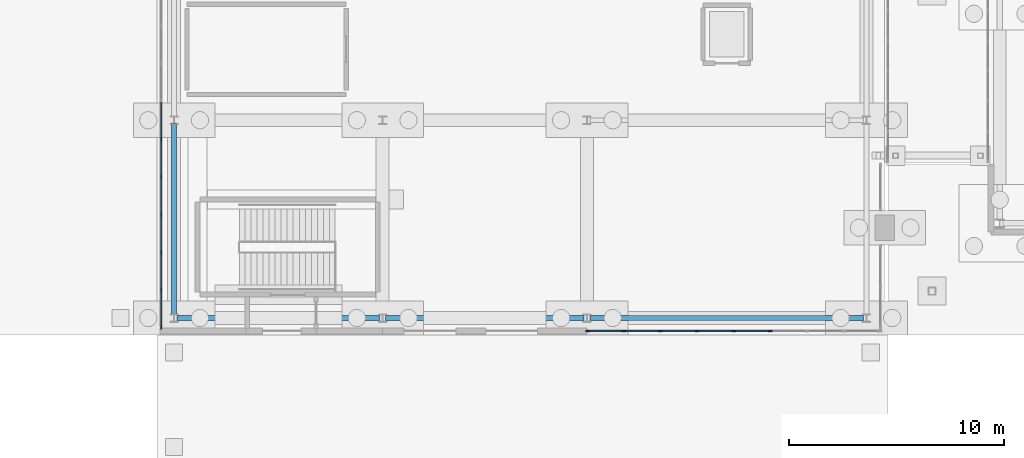
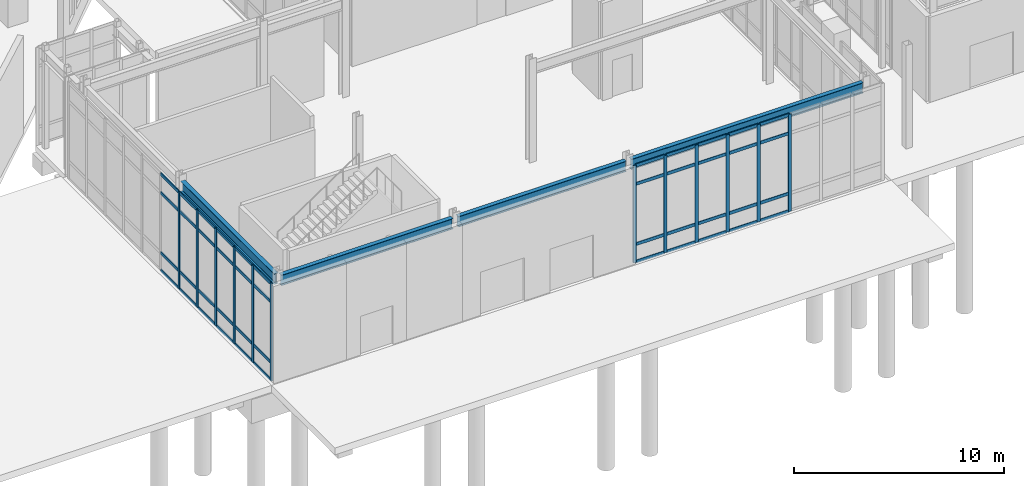
# One storey, part 33 of 143: 56 members, 4 beams, 2 elements without a shape of their own.
"""IFC4 building model written with IfcOpenShell, lengths in metres."""

from ifc_helpers import new_model, si_unit, derived_unit, direction, frame, origin, origin_2d, place, context, subcontext, project, spatial, rectangle, i_section, extrude, material, layer, layer_set, material_profile, profile_set, type_object, element, aggregate, save


model = new_model("IFC4")

# Units and contexts
model_context = context("Model", 3, precision=1e-05, world=origin(), true_north=direction((0.0, 1.0)))
body_context = subcontext(model_context, "Body", "Model", "MODEL_VIEW")
ifc_project = project(units=[si_unit("LENGTHUNIT", "METRE"), si_unit("AREAUNIT", "SQUARE_METRE"), si_unit("VOLUMEUNIT", "CUBIC_METRE"), si_unit("PLANEANGLEUNIT", "RADIAN"), si_unit("MASSUNIT", "GRAM", prefix="KILO"), derived_unit("THERMALTRANSMITTANCEUNIT", [(si_unit("MASSUNIT", "GRAM", prefix="KILO"), 1), (si_unit("TIMEUNIT", "SECOND"), -3), (si_unit("THERMODYNAMICTEMPERATUREUNIT", "KELVIN"), -1)])], contexts=[model_context])

# Site, building, storey
site_placement = place(None, origin())
site = spatial("IfcSite", under=ifc_project, at=site_placement, CompositionType="ELEMENT")
building_placement = place(site_placement, origin())
building = spatial("IfcBuilding", under=site, at=building_placement, Name="Valcora Ridge Arena", CompositionType="ELEMENT")
storey_placement = place(building_placement, origin())
storey = spatial("IfcBuildingStorey", under=building, at=storey_placement, Name="L00", CompositionType="ELEMENT", Elevation=0.0)

# Beams
ifc_material_1 = material(Name="Steel ASTM A572 Grade 50", Category="steel")
ifc_material_profile_1 = material_profile(ifc_material_1, i_section(OverallWidth=0.22900390625, OverallDepth=0.612060546875, WebThickness=0.011962890625, FlangeThickness=0.01953125, FilletRadius=0.01806640625, at=origin_2d()), Name="W24X84")
ifc_profile_set_1 = profile_set([ifc_material_profile_1], Name="Steel ASTM A572 Grade 50")
beam_type_1 = type_object("IfcBeamType", Name="TY-BEAM-G-W24X84-Y", PredefinedType="BEAM", material=ifc_profile_set_1)
beam_1_placement = place(storey_placement, frame((98.800048828125, 0.93994140625, 5.333984375), z_axis=(0.0, 1.0, 0.0), x_axis=(-1.0, 0.0, 0.0)))
element("IfcBeam", 1, at=beam_1_placement, inside=storey, type_object=beam_type_1, Name="G-W24X84-Y BEM-G-W24X84-Y-0001", PredefinedType="BEAM", context=body_context, shape_type="SweptSolid", body=[
    extrude(i_section(OverallWidth=0.22900390625, OverallDepth=0.612060546875, WebThickness=0.011962890625, FlangeThickness=0.01953125, FilletRadius=0.01806640625, at=origin_2d()), origin(), (0.0, 0.0, 1.0), 8.920166015625),
])
ifc_material_profile_2 = material_profile(ifc_material_1, i_section(OverallWidth=0.22900390625, OverallDepth=0.612060546875, WebThickness=0.011962890625, FlangeThickness=0.01953125, FilletRadius=0.01806640625, at=origin_2d()), Name="W24X84")
ifc_profile_set_2 = profile_set([ifc_material_profile_2], Name="Steel ASTM A572 Grade 50")
beam_type_2 = type_object("IfcBeamType", Name="TY-BEAM-SP-W24X84", PredefinedType="SPANDREL", material=ifc_profile_set_2)
beam_2_placement = place(storey_placement, frame((98.93994140625, 0.800048828125, 5.333984375), z_axis=(1.0, 0.0, 0.0), x_axis=(0.0, 1.0, 0.0)))
element("IfcBeam", 2, at=beam_2_placement, inside=storey, type_object=beam_type_2, Name="SP-W24X84 BEM-SP-W24X84-0001", PredefinedType="SPANDREL", context=body_context, shape_type="SweptSolid", body=[
    extrude(i_section(OverallWidth=0.22900390625, OverallDepth=0.612060546875, WebThickness=0.011962890625, FlangeThickness=0.01953125, FilletRadius=0.01806640625, at=origin_2d()), origin(), (0.0, 0.0, 1.0), 9.420166015625),
])
beam_3_placement = place(storey_placement, frame((108.639892578125, 0.800048828125, 5.333984375), z_axis=(1.0, 0.0, 0.0), x_axis=(0.0, 1.0, 0.0)))
element("IfcBeam", 3, at=beam_3_placement, inside=storey, type_object=beam_type_2, Name="SP-W24X84 BEM-SP-W24X84-0002", PredefinedType="SPANDREL", context=body_context, shape_type="SweptSolid", body=[
    extrude(i_section(OverallWidth=0.22900390625, OverallDepth=0.612060546875, WebThickness=0.011962890625, FlangeThickness=0.01953125, FilletRadius=0.01806640625, at=origin_2d()), origin(), (0.0, 0.0, 1.0), 9.22021484375),
])
beam_4_placement = place(storey_placement, frame((118.139892578125, 0.800048828125, 5.333984375), z_axis=(1.0, 0.0, 0.0), x_axis=(0.0, 1.0, 0.0)))
element("IfcBeam", 4, at=beam_4_placement, inside=storey, type_object=beam_type_2, Name="SP-W24X84 BEM-SP-W24X84-0003", PredefinedType="SPANDREL", context=body_context, shape_type="SweptSolid", body=[
    extrude(i_section(OverallWidth=0.22900390625, OverallDepth=0.612060546875, WebThickness=0.011962890625, FlangeThickness=0.01953125, FilletRadius=0.01806640625, at=origin_2d()), origin(), (0.0, 0.0, 1.0), 12.72021484375),
])

# Curtain wall, members
ifc_material_2 = material(Name="Anodised dark bronze architectural aluminium 6063-T6", Category="aluminium")
ifc_layer_1 = layer(ifc_material_2, 0.179931640625, Name="Anodised dark bronze architectural aluminium 6063-T6")
ifc_layer_set_1 = layer_set([ifc_layer_1], Name="Anodised dark bronze architectural aluminium 6063-T6")
curtain_wall_type_1 = type_object("IfcCurtainWallType", Name="TY-CURTAINWALL-CW-V3-LANCET-136X56", PredefinedType="NOTDEFINED", material=ifc_layer_set_1)
curtain_wall_1_placement = place(storey_placement, origin())
curtain_wall_1 = element("IfcCurtainWall", 5, at=curtain_wall_1_placement, inside=storey, type_object=curtain_wall_type_1, Name="CW-V3-LANCET-136X56 CW-0001", PredefinedType="NOTDEFINED")
ifc_material_profile_3 = material_profile(ifc_material_2, rectangle(XDim=0.06005859375, YDim=0.179931640625, at=origin_2d()), Name="ALU MULLION 60x180")
ifc_profile_set_3 = profile_set([ifc_material_profile_3], Name="Anodised dark bronze architectural aluminium 6063-T6")
member_type_1 = type_object("IfcMemberType", Name="TY-MEM-CWM-60x180", PredefinedType="MULLION", material=ifc_profile_set_3)
member_1_placement = place(storey_placement, frame((118.030029296875, 0.199951171875, 0.0), z_axis=(0.0, 0.0, 1.0), x_axis=(0.0, 1.0, 0.0)))
member_1 = element("IfcMember", 6, at=member_1_placement, type_object=member_type_1, Name="CW-0001/CWM-60x180/M00", PredefinedType="MULLION", context=body_context, shape_type="SweptSolid", body=[
    extrude(rectangle(XDim=0.06005859375, YDim=0.179931640625, at=origin_2d()), origin(), (0.0, 0.0, 1.0), 5.639892578125),
])
member_2_placement = place(storey_placement, frame((119.706298828125, 0.199951171875, 0.0), z_axis=(0.0, 0.0, 1.0), x_axis=(0.0, 1.0, 0.0)))
member_2 = element("IfcMember", 7, at=member_2_placement, type_object=member_type_1, Name="CW-0001/CWM-60x180/M01", PredefinedType="MULLION", context=body_context, shape_type="SweptSolid", body=[
    extrude(rectangle(XDim=0.06005859375, YDim=0.179931640625, at=origin_2d()), origin(), (0.0, 0.0, 1.0), 5.639892578125),
])
member_3_placement = place(storey_placement, frame((121.41259765625, 0.199951171875, 0.0), z_axis=(0.0, 0.0, 1.0), x_axis=(0.0, 1.0, 0.0)))
member_3 = element("IfcMember", 8, at=member_3_placement, type_object=member_type_1, Name="CW-0001/CWM-60x180/M02", PredefinedType="MULLION", context=body_context, shape_type="SweptSolid", body=[
    extrude(rectangle(XDim=0.06005859375, YDim=0.179931640625, at=origin_2d()), origin(), (0.0, 0.0, 1.0), 5.639892578125),
])
member_4_placement = place(storey_placement, frame((123.118896484375, 0.199951171875, 0.0), z_axis=(0.0, 0.0, 1.0), x_axis=(0.0, 1.0, 0.0)))
member_4 = element("IfcMember", 9, at=member_4_placement, type_object=member_type_1, Name="CW-0001/CWM-60x180/M03", PredefinedType="MULLION", context=body_context, shape_type="SweptSolid", body=[
    extrude(rectangle(XDim=0.06005859375, YDim=0.179931640625, at=origin_2d()), origin(), (0.0, 0.0, 1.0), 5.639892578125),
])
member_5_placement = place(storey_placement, frame((124.824951171875, 0.199951171875, 0.0), z_axis=(0.0, 0.0, 1.0), x_axis=(0.0, 1.0, 0.0)))
member_5 = element("IfcMember", 10, at=member_5_placement, type_object=member_type_1, Name="CW-0001/CWM-60x180/M04", PredefinedType="MULLION", context=body_context, shape_type="SweptSolid", body=[
    extrude(rectangle(XDim=0.06005859375, YDim=0.179931640625, at=origin_2d()), origin(), (0.0, 0.0, 1.0), 5.639892578125),
])
member_6_placement = place(storey_placement, frame((126.53125, 0.199951171875, 0.0), z_axis=(0.0, 0.0, 1.0), x_axis=(0.0, 1.0, 0.0)))
member_6 = element("IfcMember", 11, at=member_6_placement, type_object=member_type_1, Name="CW-0001/CWM-60x180/M05", PredefinedType="MULLION", context=body_context, shape_type="SweptSolid", body=[
    extrude(rectangle(XDim=0.06005859375, YDim=0.179931640625, at=origin_2d()), origin(), (0.0, 0.0, 1.0), 5.639892578125),
])

ifc_layer_2 = layer(ifc_material_2, 0.179931640625, Name="Anodised dark bronze architectural aluminium 6063-T6")
ifc_layer_set_2 = layer_set([ifc_layer_2], Name="Anodised dark bronze architectural aluminium 6063-T6")
curtain_wall_type_2 = type_object("IfcCurtainWallType", Name="TY-CURTAINWALL-CW-V3-LANCET-193X56", PredefinedType="NOTDEFINED", material=ifc_layer_set_2)
curtain_wall_2_placement = place(storey_placement, origin())
curtain_wall_2 = element("IfcCurtainWall", 12, at=curtain_wall_2_placement, inside=storey, type_object=curtain_wall_type_2, Name="CW-V3-LANCET-193X56 CW-0010", PredefinedType="NOTDEFINED")
member_7_placement = place(storey_placement, frame((98.199951171875, 0.3798828125, 0.0), z_axis=(0.0, 0.0, 1.0), x_axis=(-1.0, 0.0, 0.0)))
member_7 = element("IfcMember", 13, at=member_7_placement, type_object=member_type_1, Name="CW-0010/CWM-60x180/M00", PredefinedType="MULLION", context=body_context, shape_type="SweptSolid", body=[
    extrude(rectangle(XDim=0.06005859375, YDim=0.179931640625, at=origin_2d()), origin(), (0.0, 0.0, 1.0), 5.639892578125),
])
member_8_placement = place(storey_placement, frame((98.199951171875, 2.1044921875, 0.0), z_axis=(0.0, 0.0, 1.0), x_axis=(-1.0, 0.0, 0.0)))
member_8 = element("IfcMember", 14, at=member_8_placement, type_object=member_type_1, Name="CW-0010/CWM-60x180/M01", PredefinedType="MULLION", context=body_context, shape_type="SweptSolid", body=[
    extrude(rectangle(XDim=0.06005859375, YDim=0.179931640625, at=origin_2d()), origin(), (0.0, 0.0, 1.0), 5.639892578125),
])
member_9_placement = place(storey_placement, frame((98.199951171875, 3.859130859375, 0.0), z_axis=(0.0, 0.0, 1.0), x_axis=(-1.0, 0.0, 0.0)))
member_9 = element("IfcMember", 15, at=member_9_placement, type_object=member_type_1, Name="CW-0010/CWM-60x180/M02", PredefinedType="MULLION", context=body_context, shape_type="SweptSolid", body=[
    extrude(rectangle(XDim=0.06005859375, YDim=0.179931640625, at=origin_2d()), origin(), (0.0, 0.0, 1.0), 5.639892578125),
])
member_10_placement = place(storey_placement, frame((98.199951171875, 5.613525390625, 0.0), z_axis=(0.0, 0.0, 1.0), x_axis=(-1.0, 0.0, 0.0)))
member_10 = element("IfcMember", 16, at=member_10_placement, type_object=member_type_1, Name="CW-0010/CWM-60x180/M03", PredefinedType="MULLION", context=body_context, shape_type="SweptSolid", body=[
    extrude(rectangle(XDim=0.06005859375, YDim=0.179931640625, at=origin_2d()), origin(), (0.0, 0.0, 1.0), 5.639892578125),
])
member_11_placement = place(storey_placement, frame((98.199951171875, 7.3681640625, 0.0), z_axis=(0.0, 0.0, 1.0), x_axis=(-1.0, 0.0, 0.0)))
member_11 = element("IfcMember", 17, at=member_11_placement, type_object=member_type_1, Name="CW-0010/CWM-60x180/M04", PredefinedType="MULLION", context=body_context, shape_type="SweptSolid", body=[
    extrude(rectangle(XDim=0.06005859375, YDim=0.179931640625, at=origin_2d()), origin(), (0.0, 0.0, 1.0), 5.639892578125),
])
member_12_placement = place(storey_placement, frame((98.199951171875, 9.122802734375, 0.0), z_axis=(0.0, 0.0, 1.0), x_axis=(-1.0, 0.0, 0.0)))
member_12 = element("IfcMember", 18, at=member_12_placement, type_object=member_type_1, Name="CW-0010/CWM-60x180/M05", PredefinedType="MULLION", context=body_context, shape_type="SweptSolid", body=[
    extrude(rectangle(XDim=0.06005859375, YDim=0.179931640625, at=origin_2d()), origin(), (0.0, 0.0, 1.0), 5.639892578125),
])

# Member
ifc_material_profile_4 = material_profile(ifc_material_2, rectangle(XDim=0.06005859375, YDim=0.179931640625, at=origin_2d()), Name="ALU TRANSOM 60x180")
ifc_profile_set_4 = profile_set([ifc_material_profile_4], Name="Anodised dark bronze architectural aluminium 6063-T6")
member_type_2 = type_object("IfcMemberType", Name="TY-MEM-CWT-60x180", PredefinedType="USERDEFINED", material=ifc_profile_set_4)
member_13_placement = place(storey_placement, frame((118.06005859375, 0.199951171875, 0.030029296875), z_axis=(1.0, 0.0, 0.0), x_axis=(0.0, 1.0, 0.0)))
member_13 = element("IfcMember", 19, at=member_13_placement, type_object=member_type_2, Name="CW-0001/CWT-60x180/T00-00", ObjectType="TRANSOM", PredefinedType="USERDEFINED", context=body_context, shape_type="SweptSolid", body=[
    extrude(rectangle(XDim=0.06005859375, YDim=0.179931640625, at=origin_2d()), origin(), (0.0, 0.0, 1.0), 1.615966796875),
])

member_14_placement = place(storey_placement, frame((118.06005859375, 0.199951171875, 1.050048828125), z_axis=(1.0, 0.0, 0.0), x_axis=(0.0, 1.0, 0.0)))
member_14 = element("IfcMember", 20, at=member_14_placement, type_object=member_type_2, Name="CW-0001/CWT-60x180/T00-01", ObjectType="TRANSOM", PredefinedType="USERDEFINED", context=body_context, shape_type="SweptSolid", body=[
    extrude(rectangle(XDim=0.06005859375, YDim=0.179931640625, at=origin_2d()), origin(), (0.0, 0.0, 1.0), 1.615966796875),
])

member_15_placement = place(storey_placement, frame((118.06005859375, 0.199951171875, 4.5400390625), z_axis=(1.0, 0.0, 0.0), x_axis=(0.0, 1.0, 0.0)))
member_15 = element("IfcMember", 21, at=member_15_placement, type_object=member_type_2, Name="CW-0001/CWT-60x180/T00-02", ObjectType="TRANSOM", PredefinedType="USERDEFINED", context=body_context, shape_type="SweptSolid", body=[
    extrude(rectangle(XDim=0.06005859375, YDim=0.179931640625, at=origin_2d()), origin(), (0.0, 0.0, 1.0), 1.615966796875),
])

member_16_placement = place(storey_placement, frame((118.06005859375, 0.199951171875, 5.610107421875), z_axis=(1.0, 0.0, 0.0), x_axis=(0.0, 1.0, 0.0)))
member_16 = element("IfcMember", 22, at=member_16_placement, type_object=member_type_2, Name="CW-0001/CWT-60x180/T00-03", ObjectType="TRANSOM", PredefinedType="USERDEFINED", context=body_context, shape_type="SweptSolid", body=[
    extrude(rectangle(XDim=0.06005859375, YDim=0.179931640625, at=origin_2d()), origin(), (0.0, 0.0, 1.0), 1.615966796875),
])

member_17_placement = place(storey_placement, frame((119.736083984375, 0.199951171875, 0.030029296875), z_axis=(1.0, 0.0, 0.0), x_axis=(0.0, 1.0, 0.0)))
member_17 = element("IfcMember", 23, at=member_17_placement, type_object=member_type_2, Name="CW-0001/CWT-60x180/T01-00", ObjectType="TRANSOM", PredefinedType="USERDEFINED", context=body_context, shape_type="SweptSolid", body=[
    extrude(rectangle(XDim=0.06005859375, YDim=0.179931640625, at=origin_2d()), origin(), (0.0, 0.0, 1.0), 1.64697265625),
])

member_18_placement = place(storey_placement, frame((119.736083984375, 0.199951171875, 1.050048828125), z_axis=(1.0, 0.0, 0.0), x_axis=(0.0, 1.0, 0.0)))
member_18 = element("IfcMember", 24, at=member_18_placement, type_object=member_type_2, Name="CW-0001/CWT-60x180/T01-01", ObjectType="TRANSOM", PredefinedType="USERDEFINED", context=body_context, shape_type="SweptSolid", body=[
    extrude(rectangle(XDim=0.06005859375, YDim=0.179931640625, at=origin_2d()), origin(), (0.0, 0.0, 1.0), 1.64697265625),
])

member_19_placement = place(storey_placement, frame((119.736083984375, 0.199951171875, 4.5400390625), z_axis=(1.0, 0.0, 0.0), x_axis=(0.0, 1.0, 0.0)))
member_19 = element("IfcMember", 25, at=member_19_placement, type_object=member_type_2, Name="CW-0001/CWT-60x180/T01-02", ObjectType="TRANSOM", PredefinedType="USERDEFINED", context=body_context, shape_type="SweptSolid", body=[
    extrude(rectangle(XDim=0.06005859375, YDim=0.179931640625, at=origin_2d()), origin(), (0.0, 0.0, 1.0), 1.64697265625),
])

member_20_placement = place(storey_placement, frame((119.736083984375, 0.199951171875, 5.610107421875), z_axis=(1.0, 0.0, 0.0), x_axis=(0.0, 1.0, 0.0)))
member_20 = element("IfcMember", 26, at=member_20_placement, type_object=member_type_2, Name="CW-0001/CWT-60x180/T01-03", ObjectType="TRANSOM", PredefinedType="USERDEFINED", context=body_context, shape_type="SweptSolid", body=[
    extrude(rectangle(XDim=0.06005859375, YDim=0.179931640625, at=origin_2d()), origin(), (0.0, 0.0, 1.0), 1.64697265625),
])

member_21_placement = place(storey_placement, frame((121.44189453125, 0.199951171875, 0.030029296875), z_axis=(1.0, 0.0, 0.0), x_axis=(0.0, 1.0, 0.0)))
member_21 = element("IfcMember", 27, at=member_21_placement, type_object=member_type_2, Name="CW-0001/CWT-60x180/T02-00", ObjectType="TRANSOM", PredefinedType="USERDEFINED", context=body_context, shape_type="SweptSolid", body=[
    extrude(rectangle(XDim=0.06005859375, YDim=0.179931640625, at=origin_2d()), origin(), (0.0, 0.0, 1.0), 1.647216796875),
])

member_22_placement = place(storey_placement, frame((121.44189453125, 0.199951171875, 1.050048828125), z_axis=(1.0, 0.0, 0.0), x_axis=(0.0, 1.0, 0.0)))
member_22 = element("IfcMember", 28, at=member_22_placement, type_object=member_type_2, Name="CW-0001/CWT-60x180/T02-01", ObjectType="TRANSOM", PredefinedType="USERDEFINED", context=body_context, shape_type="SweptSolid", body=[
    extrude(rectangle(XDim=0.06005859375, YDim=0.179931640625, at=origin_2d()), origin(), (0.0, 0.0, 1.0), 1.647216796875),
])

member_23_placement = place(storey_placement, frame((121.44189453125, 0.199951171875, 4.5400390625), z_axis=(1.0, 0.0, 0.0), x_axis=(0.0, 1.0, 0.0)))
member_23 = element("IfcMember", 29, at=member_23_placement, type_object=member_type_2, Name="CW-0001/CWT-60x180/T02-02", ObjectType="TRANSOM", PredefinedType="USERDEFINED", context=body_context, shape_type="SweptSolid", body=[
    extrude(rectangle(XDim=0.06005859375, YDim=0.179931640625, at=origin_2d()), origin(), (0.0, 0.0, 1.0), 1.647216796875),
])

member_24_placement = place(storey_placement, frame((121.44189453125, 0.199951171875, 5.610107421875), z_axis=(1.0, 0.0, 0.0), x_axis=(0.0, 1.0, 0.0)))
member_24 = element("IfcMember", 30, at=member_24_placement, type_object=member_type_2, Name="CW-0001/CWT-60x180/T02-03", ObjectType="TRANSOM", PredefinedType="USERDEFINED", context=body_context, shape_type="SweptSolid", body=[
    extrude(rectangle(XDim=0.06005859375, YDim=0.179931640625, at=origin_2d()), origin(), (0.0, 0.0, 1.0), 1.647216796875),
])

member_25_placement = place(storey_placement, frame((123.14892578125, 0.199951171875, 0.030029296875), z_axis=(1.0, 0.0, 0.0), x_axis=(0.0, 1.0, 0.0)))
member_25 = element("IfcMember", 31, at=member_25_placement, type_object=member_type_2, Name="CW-0001/CWT-60x180/T03-00", ObjectType="TRANSOM", PredefinedType="USERDEFINED", context=body_context, shape_type="SweptSolid", body=[
    extrude(rectangle(XDim=0.06005859375, YDim=0.179931640625, at=origin_2d()), origin(), (0.0, 0.0, 1.0), 1.64599609375),
])

member_26_placement = place(storey_placement, frame((123.14892578125, 0.199951171875, 1.050048828125), z_axis=(1.0, 0.0, 0.0), x_axis=(0.0, 1.0, 0.0)))
member_26 = element("IfcMember", 32, at=member_26_placement, type_object=member_type_2, Name="CW-0001/CWT-60x180/T03-01", ObjectType="TRANSOM", PredefinedType="USERDEFINED", context=body_context, shape_type="SweptSolid", body=[
    extrude(rectangle(XDim=0.06005859375, YDim=0.179931640625, at=origin_2d()), origin(), (0.0, 0.0, 1.0), 1.64599609375),
])

member_27_placement = place(storey_placement, frame((123.14892578125, 0.199951171875, 4.5400390625), z_axis=(1.0, 0.0, 0.0), x_axis=(0.0, 1.0, 0.0)))
member_27 = element("IfcMember", 33, at=member_27_placement, type_object=member_type_2, Name="CW-0001/CWT-60x180/T03-02", ObjectType="TRANSOM", PredefinedType="USERDEFINED", context=body_context, shape_type="SweptSolid", body=[
    extrude(rectangle(XDim=0.06005859375, YDim=0.179931640625, at=origin_2d()), origin(), (0.0, 0.0, 1.0), 1.64599609375),
])

member_28_placement = place(storey_placement, frame((123.14892578125, 0.199951171875, 5.610107421875), z_axis=(1.0, 0.0, 0.0), x_axis=(0.0, 1.0, 0.0)))
member_28 = element("IfcMember", 34, at=member_28_placement, type_object=member_type_2, Name="CW-0001/CWT-60x180/T03-03", ObjectType="TRANSOM", PredefinedType="USERDEFINED", context=body_context, shape_type="SweptSolid", body=[
    extrude(rectangle(XDim=0.06005859375, YDim=0.179931640625, at=origin_2d()), origin(), (0.0, 0.0, 1.0), 1.64599609375),
])

member_29_placement = place(storey_placement, frame((124.85498046875, 0.199951171875, 0.030029296875), z_axis=(1.0, 0.0, 0.0), x_axis=(0.0, 1.0, 0.0)))
member_29 = element("IfcMember", 35, at=member_29_placement, type_object=member_type_2, Name="CW-0001/CWT-60x180/T04-00", ObjectType="TRANSOM", PredefinedType="USERDEFINED", context=body_context, shape_type="SweptSolid", body=[
    extrude(rectangle(XDim=0.06005859375, YDim=0.179931640625, at=origin_2d()), origin(), (0.0, 0.0, 1.0), 1.64599609375),
])

member_30_placement = place(storey_placement, frame((124.85498046875, 0.199951171875, 1.050048828125), z_axis=(1.0, 0.0, 0.0), x_axis=(0.0, 1.0, 0.0)))
member_30 = element("IfcMember", 36, at=member_30_placement, type_object=member_type_2, Name="CW-0001/CWT-60x180/T04-01", ObjectType="TRANSOM", PredefinedType="USERDEFINED", context=body_context, shape_type="SweptSolid", body=[
    extrude(rectangle(XDim=0.06005859375, YDim=0.179931640625, at=origin_2d()), origin(), (0.0, 0.0, 1.0), 1.64599609375),
])

member_31_placement = place(storey_placement, frame((124.85498046875, 0.199951171875, 4.5400390625), z_axis=(1.0, 0.0, 0.0), x_axis=(0.0, 1.0, 0.0)))
member_31 = element("IfcMember", 37, at=member_31_placement, type_object=member_type_2, Name="CW-0001/CWT-60x180/T04-02", ObjectType="TRANSOM", PredefinedType="USERDEFINED", context=body_context, shape_type="SweptSolid", body=[
    extrude(rectangle(XDim=0.06005859375, YDim=0.179931640625, at=origin_2d()), origin(), (0.0, 0.0, 1.0), 1.64599609375),
])

member_32_placement = place(storey_placement, frame((124.85498046875, 0.199951171875, 5.610107421875), z_axis=(1.0, 0.0, 0.0), x_axis=(0.0, 1.0, 0.0)))
member_32 = element("IfcMember", 38, at=member_32_placement, type_object=member_type_2, Name="CW-0001/CWT-60x180/T04-03", ObjectType="TRANSOM", PredefinedType="USERDEFINED", context=body_context, shape_type="SweptSolid", body=[
    extrude(rectangle(XDim=0.06005859375, YDim=0.179931640625, at=origin_2d()), origin(), (0.0, 0.0, 1.0), 1.64599609375),
])

aggregate(curtain_wall_1, [member_1, member_2, member_3, member_4, member_5, member_6, member_13, member_14, member_15, member_16, member_17, member_18, member_19, member_20, member_21, member_22, member_23, member_24, member_25, member_26, member_27, member_28, member_29, member_30, member_31, member_32])

member_33_placement = place(storey_placement, frame((98.199951171875, 0.409912109375, 0.030029296875), z_axis=(0.0, 1.0, 0.0), x_axis=(-1.0, 0.0, 0.0)))
member_33 = element("IfcMember", 39, at=member_33_placement, type_object=member_type_2, Name="CW-0010/CWT-60x180/T00-00", ObjectType="TRANSOM", PredefinedType="USERDEFINED", context=body_context, shape_type="SweptSolid", body=[
    extrude(rectangle(XDim=0.06005859375, YDim=0.179931640625, at=origin_2d()), origin(), (0.0, 0.0, 1.0), 1.6650390625),
])

member_34_placement = place(storey_placement, frame((98.199951171875, 0.409912109375, 1.050048828125), z_axis=(0.0, 1.0, 0.0), x_axis=(-1.0, 0.0, 0.0)))
member_34 = element("IfcMember", 40, at=member_34_placement, type_object=member_type_2, Name="CW-0010/CWT-60x180/T00-01", ObjectType="TRANSOM", PredefinedType="USERDEFINED", context=body_context, shape_type="SweptSolid", body=[
    extrude(rectangle(XDim=0.06005859375, YDim=0.179931640625, at=origin_2d()), origin(), (0.0, 0.0, 1.0), 1.6650390625),
])

member_35_placement = place(storey_placement, frame((98.199951171875, 0.409912109375, 4.5400390625), z_axis=(0.0, 1.0, 0.0), x_axis=(-1.0, 0.0, 0.0)))
member_35 = element("IfcMember", 41, at=member_35_placement, type_object=member_type_2, Name="CW-0010/CWT-60x180/T00-02", ObjectType="TRANSOM", PredefinedType="USERDEFINED", context=body_context, shape_type="SweptSolid", body=[
    extrude(rectangle(XDim=0.06005859375, YDim=0.179931640625, at=origin_2d()), origin(), (0.0, 0.0, 1.0), 1.6650390625),
])

member_36_placement = place(storey_placement, frame((98.199951171875, 0.409912109375, 5.610107421875), z_axis=(0.0, 1.0, 0.0), x_axis=(-1.0, 0.0, 0.0)))
member_36 = element("IfcMember", 42, at=member_36_placement, type_object=member_type_2, Name="CW-0010/CWT-60x180/T00-03", ObjectType="TRANSOM", PredefinedType="USERDEFINED", context=body_context, shape_type="SweptSolid", body=[
    extrude(rectangle(XDim=0.06005859375, YDim=0.179931640625, at=origin_2d()), origin(), (0.0, 0.0, 1.0), 1.6650390625),
])

member_37_placement = place(storey_placement, frame((98.199951171875, 2.135009765625, 0.030029296875), z_axis=(0.0, 1.0, 0.0), x_axis=(-1.0, 0.0, 0.0)))
member_37 = element("IfcMember", 43, at=member_37_placement, type_object=member_type_2, Name="CW-0010/CWT-60x180/T01-00", ObjectType="TRANSOM", PredefinedType="USERDEFINED", context=body_context, shape_type="SweptSolid", body=[
    extrude(rectangle(XDim=0.06005859375, YDim=0.179931640625, at=origin_2d()), origin(), (0.0, 0.0, 1.0), 1.694091796875),
])

member_38_placement = place(storey_placement, frame((98.199951171875, 2.135009765625, 1.050048828125), z_axis=(0.0, 1.0, 0.0), x_axis=(-1.0, 0.0, 0.0)))
member_38 = element("IfcMember", 44, at=member_38_placement, type_object=member_type_2, Name="CW-0010/CWT-60x180/T01-01", ObjectType="TRANSOM", PredefinedType="USERDEFINED", context=body_context, shape_type="SweptSolid", body=[
    extrude(rectangle(XDim=0.06005859375, YDim=0.179931640625, at=origin_2d()), origin(), (0.0, 0.0, 1.0), 1.694091796875),
])

member_39_placement = place(storey_placement, frame((98.199951171875, 2.135009765625, 4.5400390625), z_axis=(0.0, 1.0, 0.0), x_axis=(-1.0, 0.0, 0.0)))
member_39 = element("IfcMember", 45, at=member_39_placement, type_object=member_type_2, Name="CW-0010/CWT-60x180/T01-02", ObjectType="TRANSOM", PredefinedType="USERDEFINED", context=body_context, shape_type="SweptSolid", body=[
    extrude(rectangle(XDim=0.06005859375, YDim=0.179931640625, at=origin_2d()), origin(), (0.0, 0.0, 1.0), 1.694091796875),
])

member_40_placement = place(storey_placement, frame((98.199951171875, 2.135009765625, 5.610107421875), z_axis=(0.0, 1.0, 0.0), x_axis=(-1.0, 0.0, 0.0)))
member_40 = element("IfcMember", 46, at=member_40_placement, type_object=member_type_2, Name="CW-0010/CWT-60x180/T01-03", ObjectType="TRANSOM", PredefinedType="USERDEFINED", context=body_context, shape_type="SweptSolid", body=[
    extrude(rectangle(XDim=0.06005859375, YDim=0.179931640625, at=origin_2d()), origin(), (0.0, 0.0, 1.0), 1.694091796875),
])

member_41_placement = place(storey_placement, frame((98.199951171875, 3.888916015625, 0.030029296875), z_axis=(0.0, 1.0, 0.0), x_axis=(-1.0, 0.0, 0.0)))
member_41 = element("IfcMember", 47, at=member_41_placement, type_object=member_type_2, Name="CW-0010/CWT-60x180/T02-00", ObjectType="TRANSOM", PredefinedType="USERDEFINED", context=body_context, shape_type="SweptSolid", body=[
    extrude(rectangle(XDim=0.06005859375, YDim=0.179931640625, at=origin_2d()), origin(), (0.0, 0.0, 1.0), 1.695068359375),
])

member_42_placement = place(storey_placement, frame((98.199951171875, 3.888916015625, 1.050048828125), z_axis=(0.0, 1.0, 0.0), x_axis=(-1.0, 0.0, 0.0)))
member_42 = element("IfcMember", 48, at=member_42_placement, type_object=member_type_2, Name="CW-0010/CWT-60x180/T02-01", ObjectType="TRANSOM", PredefinedType="USERDEFINED", context=body_context, shape_type="SweptSolid", body=[
    extrude(rectangle(XDim=0.06005859375, YDim=0.179931640625, at=origin_2d()), origin(), (0.0, 0.0, 1.0), 1.695068359375),
])

member_43_placement = place(storey_placement, frame((98.199951171875, 3.888916015625, 4.5400390625), z_axis=(0.0, 1.0, 0.0), x_axis=(-1.0, 0.0, 0.0)))
member_43 = element("IfcMember", 49, at=member_43_placement, type_object=member_type_2, Name="CW-0010/CWT-60x180/T02-02", ObjectType="TRANSOM", PredefinedType="USERDEFINED", context=body_context, shape_type="SweptSolid", body=[
    extrude(rectangle(XDim=0.06005859375, YDim=0.179931640625, at=origin_2d()), origin(), (0.0, 0.0, 1.0), 1.695068359375),
])

member_44_placement = place(storey_placement, frame((98.199951171875, 3.888916015625, 5.610107421875), z_axis=(0.0, 1.0, 0.0), x_axis=(-1.0, 0.0, 0.0)))
member_44 = element("IfcMember", 50, at=member_44_placement, type_object=member_type_2, Name="CW-0010/CWT-60x180/T02-03", ObjectType="TRANSOM", PredefinedType="USERDEFINED", context=body_context, shape_type="SweptSolid", body=[
    extrude(rectangle(XDim=0.06005859375, YDim=0.179931640625, at=origin_2d()), origin(), (0.0, 0.0, 1.0), 1.695068359375),
])

member_45_placement = place(storey_placement, frame((98.199951171875, 5.64404296875, 0.030029296875), z_axis=(0.0, 1.0, 0.0), x_axis=(-1.0, 0.0, 0.0)))
member_45 = element("IfcMember", 51, at=member_45_placement, type_object=member_type_2, Name="CW-0010/CWT-60x180/T03-00", ObjectType="TRANSOM", PredefinedType="USERDEFINED", context=body_context, shape_type="SweptSolid", body=[
    extrude(rectangle(XDim=0.06005859375, YDim=0.179931640625, at=origin_2d()), origin(), (0.0, 0.0, 1.0), 1.69384765625),
])

member_46_placement = place(storey_placement, frame((98.199951171875, 5.64404296875, 1.050048828125), z_axis=(0.0, 1.0, 0.0), x_axis=(-1.0, 0.0, 0.0)))
member_46 = element("IfcMember", 52, at=member_46_placement, type_object=member_type_2, Name="CW-0010/CWT-60x180/T03-01", ObjectType="TRANSOM", PredefinedType="USERDEFINED", context=body_context, shape_type="SweptSolid", body=[
    extrude(rectangle(XDim=0.06005859375, YDim=0.179931640625, at=origin_2d()), origin(), (0.0, 0.0, 1.0), 1.69384765625),
])

member_47_placement = place(storey_placement, frame((98.199951171875, 5.64404296875, 4.5400390625), z_axis=(0.0, 1.0, 0.0), x_axis=(-1.0, 0.0, 0.0)))
member_47 = element("IfcMember", 53, at=member_47_placement, type_object=member_type_2, Name="CW-0010/CWT-60x180/T03-02", ObjectType="TRANSOM", PredefinedType="USERDEFINED", context=body_context, shape_type="SweptSolid", body=[
    extrude(rectangle(XDim=0.06005859375, YDim=0.179931640625, at=origin_2d()), origin(), (0.0, 0.0, 1.0), 1.69384765625),
])

member_48_placement = place(storey_placement, frame((98.199951171875, 5.64404296875, 5.610107421875), z_axis=(0.0, 1.0, 0.0), x_axis=(-1.0, 0.0, 0.0)))
member_48 = element("IfcMember", 54, at=member_48_placement, type_object=member_type_2, Name="CW-0010/CWT-60x180/T03-03", ObjectType="TRANSOM", PredefinedType="USERDEFINED", context=body_context, shape_type="SweptSolid", body=[
    extrude(rectangle(XDim=0.06005859375, YDim=0.179931640625, at=origin_2d()), origin(), (0.0, 0.0, 1.0), 1.69384765625),
])

member_49_placement = place(storey_placement, frame((98.199951171875, 7.39794921875, 0.030029296875), z_axis=(0.0, 1.0, 0.0), x_axis=(-1.0, 0.0, 0.0)))
member_49 = element("IfcMember", 55, at=member_49_placement, type_object=member_type_2, Name="CW-0010/CWT-60x180/T04-00", ObjectType="TRANSOM", PredefinedType="USERDEFINED", context=body_context, shape_type="SweptSolid", body=[
    extrude(rectangle(XDim=0.06005859375, YDim=0.179931640625, at=origin_2d()), origin(), (0.0, 0.0, 1.0), 1.695068359375),
])

member_50_placement = place(storey_placement, frame((98.199951171875, 7.39794921875, 1.050048828125), z_axis=(0.0, 1.0, 0.0), x_axis=(-1.0, 0.0, 0.0)))
member_50 = element("IfcMember", 56, at=member_50_placement, type_object=member_type_2, Name="CW-0010/CWT-60x180/T04-01", ObjectType="TRANSOM", PredefinedType="USERDEFINED", context=body_context, shape_type="SweptSolid", body=[
    extrude(rectangle(XDim=0.06005859375, YDim=0.179931640625, at=origin_2d()), origin(), (0.0, 0.0, 1.0), 1.695068359375),
])

member_51_placement = place(storey_placement, frame((98.199951171875, 7.39794921875, 4.5400390625), z_axis=(0.0, 1.0, 0.0), x_axis=(-1.0, 0.0, 0.0)))
member_51 = element("IfcMember", 57, at=member_51_placement, type_object=member_type_2, Name="CW-0010/CWT-60x180/T04-02", ObjectType="TRANSOM", PredefinedType="USERDEFINED", context=body_context, shape_type="SweptSolid", body=[
    extrude(rectangle(XDim=0.06005859375, YDim=0.179931640625, at=origin_2d()), origin(), (0.0, 0.0, 1.0), 1.695068359375),
])

member_52_placement = place(storey_placement, frame((98.199951171875, 7.39794921875, 5.610107421875), z_axis=(0.0, 1.0, 0.0), x_axis=(-1.0, 0.0, 0.0)))
member_52 = element("IfcMember", 58, at=member_52_placement, type_object=member_type_2, Name="CW-0010/CWT-60x180/T04-03", ObjectType="TRANSOM", PredefinedType="USERDEFINED", context=body_context, shape_type="SweptSolid", body=[
    extrude(rectangle(XDim=0.06005859375, YDim=0.179931640625, at=origin_2d()), origin(), (0.0, 0.0, 1.0), 1.695068359375),
])

member_53_placement = place(storey_placement, frame((98.199951171875, 9.153076171875, 0.030029296875), z_axis=(0.0, 1.0, 0.0), x_axis=(-1.0, 0.0, 0.0)))
member_53 = element("IfcMember", 59, at=member_53_placement, type_object=member_type_2, Name="CW-0010/CWT-60x180/T05-00", ObjectType="TRANSOM", PredefinedType="USERDEFINED", context=body_context, shape_type="SweptSolid", body=[
    extrude(rectangle(XDim=0.06005859375, YDim=0.179931640625, at=origin_2d()), origin(), (0.0, 0.0, 1.0), 1.69384765625),
])

member_54_placement = place(storey_placement, frame((98.199951171875, 9.153076171875, 1.050048828125), z_axis=(0.0, 1.0, 0.0), x_axis=(-1.0, 0.0, 0.0)))
member_54 = element("IfcMember", 60, at=member_54_placement, type_object=member_type_2, Name="CW-0010/CWT-60x180/T05-01", ObjectType="TRANSOM", PredefinedType="USERDEFINED", context=body_context, shape_type="SweptSolid", body=[
    extrude(rectangle(XDim=0.06005859375, YDim=0.179931640625, at=origin_2d()), origin(), (0.0, 0.0, 1.0), 1.69384765625),
])

member_55_placement = place(storey_placement, frame((98.199951171875, 9.153076171875, 4.5400390625), z_axis=(0.0, 1.0, 0.0), x_axis=(-1.0, 0.0, 0.0)))
member_55 = element("IfcMember", 61, at=member_55_placement, type_object=member_type_2, Name="CW-0010/CWT-60x180/T05-02", ObjectType="TRANSOM", PredefinedType="USERDEFINED", context=body_context, shape_type="SweptSolid", body=[
    extrude(rectangle(XDim=0.06005859375, YDim=0.179931640625, at=origin_2d()), origin(), (0.0, 0.0, 1.0), 1.69384765625),
])

member_56_placement = place(storey_placement, frame((98.199951171875, 9.153076171875, 5.610107421875), z_axis=(0.0, 1.0, 0.0), x_axis=(-1.0, 0.0, 0.0)))
member_56 = element("IfcMember", 62, at=member_56_placement, type_object=member_type_2, Name="CW-0010/CWT-60x180/T05-03", ObjectType="TRANSOM", PredefinedType="USERDEFINED", context=body_context, shape_type="SweptSolid", body=[
    extrude(rectangle(XDim=0.06005859375, YDim=0.179931640625, at=origin_2d()), origin(), (0.0, 0.0, 1.0), 1.69384765625),
])

aggregate(curtain_wall_2, [member_7, member_8, member_9, member_10, member_11, member_12, member_33, member_34, member_35, member_36, member_37, member_38, member_39, member_40, member_41, member_42, member_43, member_44, member_45, member_46, member_47, member_48, member_49, member_50, member_51, member_52, member_53, member_54, member_55, member_56])

save(model, "model.ifc")
